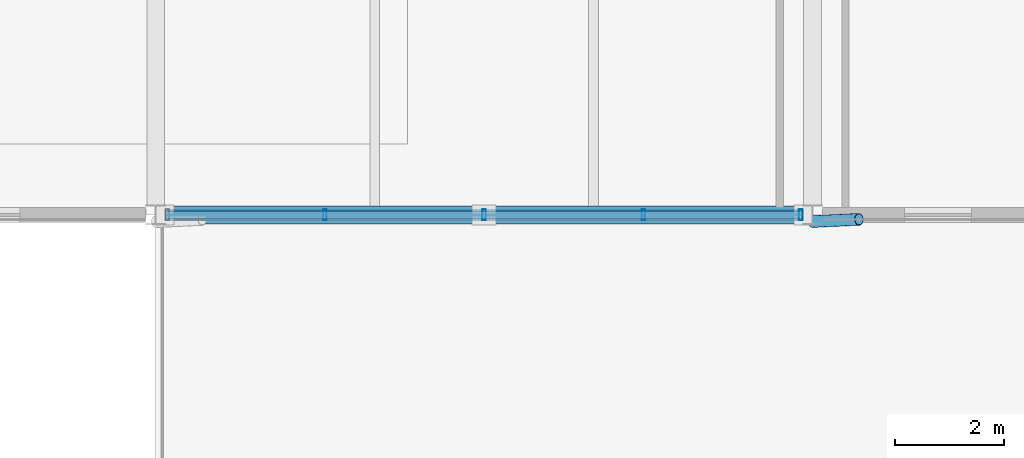
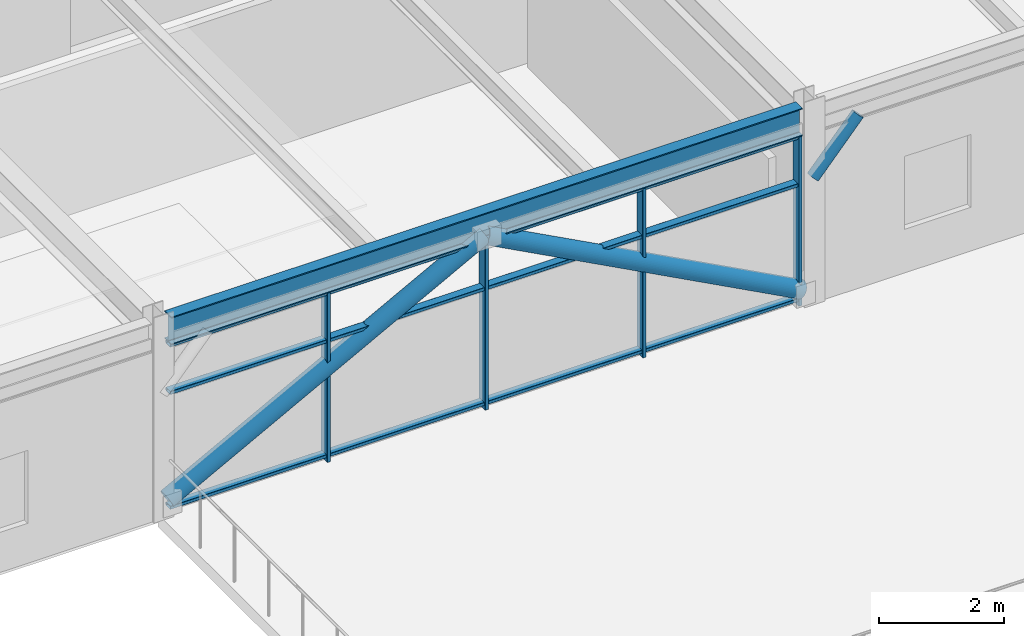
# One storey, part 7 of 30: 10 members, 1 beam, 1 element without a shape of its own.
"""IFC4 building model written with IfcOpenShell, lengths in metres."""

from ifc_helpers import new_model, si_unit, direction, frame, origin, origin_2d, place, context, subcontext, project, spatial, hollow_rectangle, hollow_circle, i_section, extrude, material, material_profile, profile_set, type_object, element, aggregate, save


model = new_model("IFC4")

# Units and contexts
model_context = context("Model", 3, precision=1e-05, world=origin(), true_north=direction((0.0, 1.0)))
body_context = subcontext(model_context, "Body", "Model", "MODEL_VIEW")
ifc_project = project(units=[si_unit("LENGTHUNIT", "METRE"), si_unit("AREAUNIT", "SQUARE_METRE"), si_unit("VOLUMEUNIT", "CUBIC_METRE"), si_unit("PLANEANGLEUNIT", "RADIAN"), si_unit("MASSUNIT", "GRAM", prefix="KILO")], contexts=[model_context])

# Site, building, storey
site_placement = place(None, origin())
site = spatial("IfcSite", under=ifc_project, at=site_placement, CompositionType="ELEMENT")
building_placement = place(site_placement, origin())
building = spatial("IfcBuilding", under=site, at=building_placement, Name="Girod Span Mobility Hub", CompositionType="ELEMENT")
storey_placement = place(building_placement, frame((0.0, 0.0, 49.60009765625)))
storey = spatial("IfcBuildingStorey", under=building, at=storey_placement, Name="L12", CompositionType="ELEMENT", Elevation=49.60009765625)

# Beam
ifc_material_1 = material(Name="Steel A992 Grade 50", Category="steel")
ifc_material_profile_1 = material_profile(ifc_material_1, i_section(OverallWidth=0.2119140625, OverallDepth=0.5439453125, WebThickness=0.01318359375, FlangeThickness=0.021240234375, FilletRadius=0.014892578125, at=origin_2d()), Name="W21X83")
ifc_profile_set_1 = profile_set([ifc_material_profile_1], Name="Steel A992 Grade 50")
beam_type = type_object("IfcBeamType", Name="BM-STL-W21X83", PredefinedType="SPANDREL", material=ifc_profile_set_1)
beam_placement = place(storey_placement, frame((48.181396484375, 45.0, 3.572998046875), z_axis=(1.0, 0.0, 0.0), x_axis=(0.0, 1.0, 0.0)))
element("IfcBeam", 1, at=beam_placement, inside=storey, type_object=beam_type, Name="Girder 5-6/D L12", PredefinedType="SPANDREL", context=body_context, shape_type="SweptSolid", body=[
    extrude(i_section(OverallWidth=0.2119140625, OverallDepth=0.5439453125, WebThickness=0.01318359375, FlangeThickness=0.021240234375, FilletRadius=0.014892578125, at=origin_2d()), origin(), (0.0, 0.0, 1.0), 11.63720703125),
])

# Curtain wall, members
ifc_material_2 = material(Name="Thermally Broken Anodised Aluminium", Category="aluminium")
curtain_wall_type = type_object("IfcCurtainWallType", Name="CW-1164X330", PredefinedType="USERDEFINED", material=ifc_material_2)
curtain_wall_placement = place(storey_placement, origin())
curtain_wall = element("IfcCurtainWall", 2, at=curtain_wall_placement, inside=storey, type_object=curtain_wall_type, Name="Unitised Curtain Wall CW-L12-S05 L12", ObjectType="UNITISED CURTAIN WALL", PredefinedType="USERDEFINED")
ifc_material_3 = material(Name="Thermally Broken Anodised Aluminium", Category="aluminium")
ifc_material_profile_2 = material_profile(ifc_material_3, hollow_rectangle(XDim=0.199951171875, YDim=0.06494140625, WallThickness=0.00390625, InnerFilletRadius=0.00390625, OuterFilletRadius=0.008056640625, at=origin_2d()), Name="CW-ML-65X200")
ifc_profile_set_2 = profile_set([ifc_material_profile_2], Name="Thermally Broken Anodised Aluminium")
member_type_1 = type_object("IfcMemberType", Name="CWM-ML-1", PredefinedType="MULLION", material=ifc_profile_set_2)
member_1_placement = place(storey_placement, frame((51.09130859375, 45.0, 0.0), z_axis=(0.0, 0.0, 1.0), x_axis=(0.0, 1.0, 0.0)))
member_1 = element("IfcMember", 3, at=member_1_placement, type_object=member_type_1, Name="Curtain Wall Mullion CW-L12-S05-M1", PredefinedType="MULLION", context=body_context, shape_type="SweptSolid", body=[
    extrude(hollow_rectangle(XDim=0.199951171875, YDim=0.06494140625, WallThickness=0.00390625, InnerFilletRadius=0.00390625, OuterFilletRadius=0.008056640625, at=origin_2d()), origin(), (0.0, 0.0, 1.0), 3.30078125),
])
member_2_placement = place(storey_placement, frame((54.0, 45.0, 0.0), z_axis=(0.0, 0.0, 1.0), x_axis=(0.0, 1.0, 0.0)))
member_2 = element("IfcMember", 4, at=member_2_placement, type_object=member_type_1, Name="Curtain Wall Mullion CW-L12-S05-M2", PredefinedType="MULLION", context=body_context, shape_type="SweptSolid", body=[
    extrude(hollow_rectangle(XDim=0.199951171875, YDim=0.06494140625, WallThickness=0.00390625, InnerFilletRadius=0.00390625, OuterFilletRadius=0.008056640625, at=origin_2d()), origin(), (0.0, 0.0, 1.0), 3.30078125),
])
member_3_placement = place(storey_placement, frame((56.90869140625, 45.0, 0.0), z_axis=(0.0, 0.0, 1.0), x_axis=(0.0, 1.0, 0.0)))
member_3 = element("IfcMember", 5, at=member_3_placement, type_object=member_type_1, Name="Curtain Wall Mullion CW-L12-S05-M3", PredefinedType="MULLION", context=body_context, shape_type="SweptSolid", body=[
    extrude(hollow_rectangle(XDim=0.199951171875, YDim=0.06494140625, WallThickness=0.00390625, InnerFilletRadius=0.00390625, OuterFilletRadius=0.008056640625, at=origin_2d()), origin(), (0.0, 0.0, 1.0), 3.30078125),
])
member_4_placement = place(storey_placement, frame((59.785400390625, 45.0, 0.0), z_axis=(0.0, 0.0, 1.0), x_axis=(0.0, 1.0, 0.0)))
member_4 = element("IfcMember", 6, at=member_4_placement, type_object=member_type_1, Name="Curtain Wall Mullion CW-L12-S05-M4", PredefinedType="MULLION", context=body_context, shape_type="SweptSolid", body=[
    extrude(hollow_rectangle(XDim=0.199951171875, YDim=0.06494140625, WallThickness=0.00390625, InnerFilletRadius=0.00390625, OuterFilletRadius=0.008056640625, at=origin_2d()), origin(), (0.0, 0.0, 1.0), 3.30078125),
])
ifc_material_4 = material(Name="Thermally Broken Anodised Aluminium", Category="aluminium")
ifc_material_profile_3 = material_profile(ifc_material_4, hollow_rectangle(XDim=0.14990234375, YDim=0.06494140625, WallThickness=0.00390625, InnerFilletRadius=0.00390625, OuterFilletRadius=0.008056640625, at=origin_2d()), Name="CW-TR-65X150")
ifc_profile_set_3 = profile_set([ifc_material_profile_3], Name="Thermally Broken Anodised Aluminium")
member_type_2 = type_object("IfcMemberType", Name="CWM-TR-1", PredefinedType="USERDEFINED", material=ifc_profile_set_3)
member_5_placement = place(storey_placement, frame((48.1826171875, 45.0, 0.107421875), z_axis=(1.0, 0.0, 0.0), x_axis=(0.0, 1.0, 0.0)))
member_5 = element("IfcMember", 7, at=member_5_placement, type_object=member_type_2, Name="Curtain Wall Transom CW-L12-S05-T1", ObjectType="TRANSOM", PredefinedType="USERDEFINED", context=body_context, shape_type="SweptSolid", body=[
    extrude(hollow_rectangle(XDim=0.14990234375, YDim=0.06494140625, WallThickness=0.00390625, InnerFilletRadius=0.00390625, OuterFilletRadius=0.008056640625, at=origin_2d()), origin(), (0.0, 0.0, 1.0), 11.634765625),
])
member_6_placement = place(storey_placement, frame((48.1826171875, 45.0, 2.343994140625), z_axis=(1.0, 0.0, 0.0), x_axis=(0.0, 1.0, 0.0)))
member_6 = element("IfcMember", 8, at=member_6_placement, type_object=member_type_2, Name="Curtain Wall Transom CW-L12-S05-T2", ObjectType="TRANSOM", PredefinedType="USERDEFINED", context=body_context, shape_type="SweptSolid", body=[
    extrude(hollow_rectangle(XDim=0.14990234375, YDim=0.06494140625, WallThickness=0.00390625, InnerFilletRadius=0.00390625, OuterFilletRadius=0.008056640625, at=origin_2d()), origin(), (0.0, 0.0, 1.0), 11.634765625),
])
member_7_placement = place(storey_placement, frame((48.1826171875, 45.0, 3.268310546875), z_axis=(1.0, 0.0, 0.0), x_axis=(0.0, 1.0, 0.0)))
member_7 = element("IfcMember", 9, at=member_7_placement, type_object=member_type_2, Name="Curtain Wall Transom CW-L12-S05-T3", ObjectType="TRANSOM", PredefinedType="USERDEFINED", context=body_context, shape_type="SweptSolid", body=[
    extrude(hollow_rectangle(XDim=0.14990234375, YDim=0.06494140625, WallThickness=0.00390625, InnerFilletRadius=0.00390625, OuterFilletRadius=0.008056640625, at=origin_2d()), origin(), (0.0, 0.0, 1.0), 11.634765625),
])
aggregate(curtain_wall, [member_1, member_2, member_3, member_4, member_5, member_6, member_7])

# Members
ifc_material_5 = material(Name="Steel HSS A500 Grade C", Category="steel")
ifc_material_profile_4 = material_profile(ifc_material_5, hollow_circle(Radius=0.162109375, WallThickness=0.01171875, at=origin_2d()), Name="HSS324X12.7")
ifc_profile_set_4 = profile_set([ifc_material_profile_4], Name="Steel HSS A500 Grade C")
member_type_3 = type_object("IfcMemberType", Name="MB-BR-HSS324", PredefinedType="BRACE", material=ifc_profile_set_4)
for number, where, z_axis, x_axis, name in (
    (10, (48.16455078125, 45.0, 0.25), (0.882440816289, 0.0, 0.470423432397), (0.0, 1.0, 0.0), "Upper Diagrid Brace 5/D-L L12"),
    (11, (59.83544921875, 45.0, 0.25), (-0.882440816289, 0.0, 0.470423432397), (0.0, -1.0, 0.0), "Upper Diagrid Brace 5/D-R L12"),
):
    element("IfcMember", number, at=place(storey_placement, frame(where, z_axis=z_axis, x_axis=x_axis)), inside=storey, type_object=member_type_3, Name=name, PredefinedType="BRACE", context=body_context, shape_type="SweptSolid", body=[
        extrude(hollow_circle(Radius=0.162109375, WallThickness=0.01171875, at=origin_2d()), origin(), (0.0, 0.0, 1.0), 6.61279296875),
    ])
ifc_material_6 = material(Name="Steel HSS A500 Grade C", Category="steel")
ifc_material_profile_5 = material_profile(ifc_material_6, hollow_circle(Radius=0.109619140625, WallThickness=0.0087890625, at=origin_2d()), Name="HSS219X9.5")
ifc_profile_set_5 = profile_set([ifc_material_profile_5], Name="Steel HSS A500 Grade C")
member_type_4 = type_object("IfcMemberType", Name="MB-ST-HSS219", PredefinedType="STRUT", material=ifc_profile_set_5)
member_8_placement = place(storey_placement, frame((60.0, 44.8798828125, 2.449951171875), z_axis=(0.680281556862, 0.032040831512, 0.732250222608), x_axis=(-0.047047213483, 0.998892666758, 0.0)))
element("IfcMember", 12, at=member_8_placement, inside=storey, type_object=member_type_4, Name="Solar Shading Knee Strut 6 L12", PredefinedType="STRUT", context=body_context, shape_type="SweptSolid", body=[
    extrude(hollow_circle(Radius=0.109619140625, WallThickness=0.0087890625, at=origin_2d()), origin(), (0.0, 0.0, 1.0), 1.24951171875),
])

save(model, "model.ifc")
